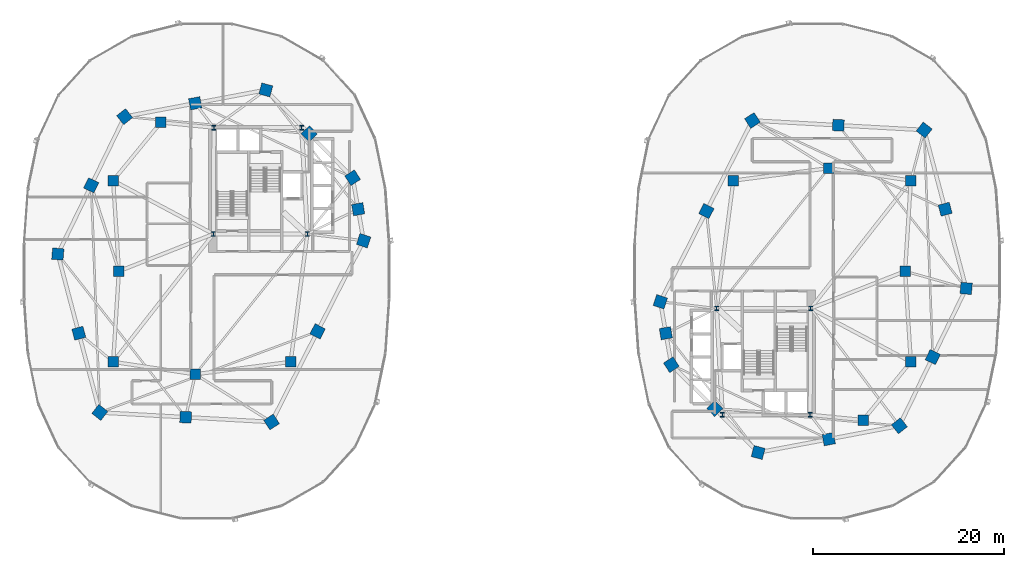
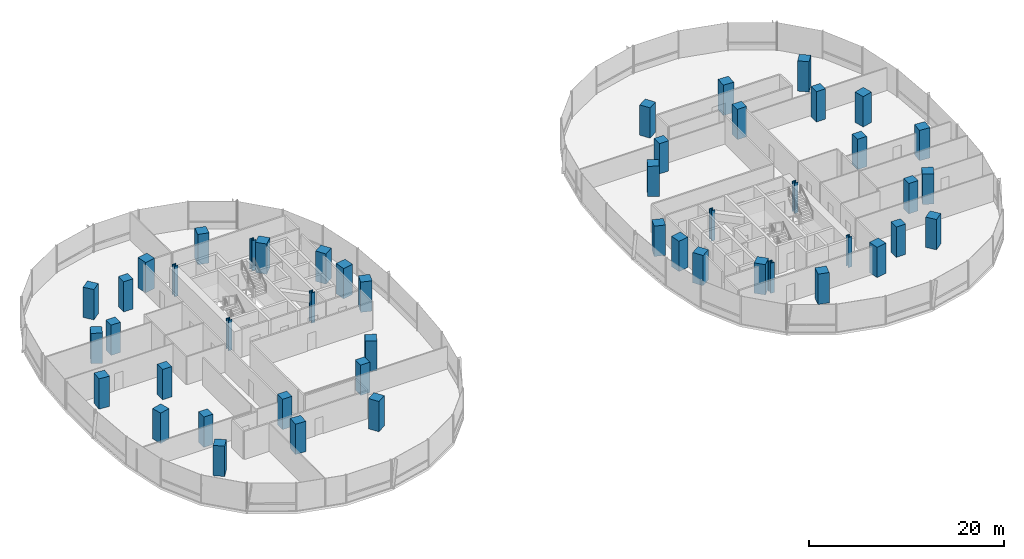
# One storey, part 1 of 21: 48 columns.
"""IFC4 building model written with IfcOpenShell, lengths in metres."""

from ifc_helpers import new_model, si_unit, direction, frame, origin, origin_2d, place, context, subcontext, project, spatial, rectangle, i_section, extrude, material, material_profile, profile_set, type_object, element, save


model = new_model("IFC4")

# Units and contexts
model_context = context("Model", 3, precision=1e-05, world=origin(), true_north=direction((0.0, 1.0)))
body_context = subcontext(model_context, "Body", "Model", "MODEL_VIEW")
ifc_project = project(units=[si_unit("LENGTHUNIT", "METRE"), si_unit("AREAUNIT", "SQUARE_METRE"), si_unit("VOLUMEUNIT", "CUBIC_METRE"), si_unit("PLANEANGLEUNIT", "RADIAN"), si_unit("MASSUNIT", "GRAM", prefix="KILO"), si_unit("THERMODYNAMICTEMPERATUREUNIT", "KELVIN"), si_unit("POWERUNIT", "WATT")], contexts=[model_context])

# Site, building, storey
site_placement = place(None, origin())
site = spatial("IfcSite", under=ifc_project, at=site_placement, CompositionType="ELEMENT")
building_placement = place(site_placement, origin())
building = spatial("IfcBuilding", under=site, at=building_placement, Name="Cundina Bronze Exchange", CompositionType="ELEMENT")
storey_placement = place(building_placement, frame((0.0, 0.0, 50.60009765625)))
storey = spatial("IfcBuildingStorey", under=building, at=storey_placement, Name="L12", CompositionType="ELEMENT", Elevation=50.60009765625)

# Columns
ifc_material_1 = material(Name="Steel ASTM A992 Grade 50", Category="steel")
ifc_material_profile_1 = material_profile(ifc_material_1, i_section(OverallWidth=0.431884765625, OverallDepth=0.498046875, WebThickness=0.0556640625, FlangeThickness=0.0888671875, FilletRadius=0.01806640625, at=origin_2d()), Name="W14X500", Category="steel")
ifc_profile_set_1 = profile_set([ifc_material_profile_1], Name="Steel ASTM A992 Grade 50")
column_type_1 = type_object("IfcColumnType", Name="COL-STL-W14A", PredefinedType="COLUMN", material=ifc_profile_set_1)
for number, where, z_axis, x_axis, name in (
    (1, (-31.300048828125, 3.89990234375, 0.0), (0.0, 0.0, 1.0), (1.0, 0.0, 0.0), "L12 Core Anchor Column W1"),
    (2, (-21.449951171875, 3.89990234375, 0.0), (0.0, 0.0, 1.0), (1.0, 0.0, 0.0), "L12 Core Anchor Column W2"),
    (3, (-22.050048828125, 15.050048828125, 0.0), (0.0, 0.0, 1.0), (1.0, 0.0, 0.0), "L12 Core Anchor Column W3"),
    (4, (-31.25, 15.050048828125, 0.0), (0.0, 0.0, 1.0), (1.0, 0.0, 0.0), "L12 Core Anchor Column W4"),
    (5, (31.300048828125, -3.89990234375, 0.0), (0.0, 0.0, 1.0), (1.0, 0.0, 0.0), "L12 Core Anchor Column E1"),
    (6, (21.449951171875, -3.89990234375, 0.0), (0.0, 0.0, 1.0), (1.0, 0.0, 0.0), "L12 Core Anchor Column E2"),
    (7, (22.050048828125, -15.050048828125, 0.0), (0.0, 0.0, 1.0), (1.0, 0.0, 0.0), "L12 Core Anchor Column E3"),
    (8, (31.25, -15.050048828125, 0.0), (0.0, 0.0, 1.0), (1.0, 0.0, 0.0), "L12 Core Anchor Column E4"),
):
    element("IfcColumn", number, at=place(storey_placement, frame(where, z_axis=z_axis, x_axis=x_axis)), inside=storey, type_object=column_type_1, Name=name, PredefinedType="COLUMN", context=body_context, shape_type="SweptSolid", body=[
        extrude(i_section(OverallWidth=0.431884765625, OverallDepth=0.498046875, WebThickness=0.0556640625, FlangeThickness=0.0888671875, FilletRadius=0.01806640625, at=origin_2d()), origin(), (0.0, 0.0, 1.0), 3.7998046875),
    ])
ifc_material_2 = material(Name="Concrete C60/75", Category="concrete")
ifc_material_profile_2 = material_profile(ifc_material_2, rectangle(XDim=1.199951171875, YDim=1.199951171875, at=origin_2d()), Name="RC1200X1200", Category="concrete")
ifc_profile_set_2 = profile_set([ifc_material_profile_2], Name="Concrete C60/75")
column_type_2 = type_object("IfcColumnType", Name="COL-Z1-1200", PredefinedType="COLUMN", material=ifc_profile_set_2)
for number, where, z_axis, x_axis, name in (
    (9, (-15.550048828125, 3.199951171875, 0.0), (0.0, 0.0, 1.0), (0.315152163383, 0.949041155016, 0.0), "L12 W Perimeter Column 00"),
    (10, (-16.125, 6.5, 0.0), (0.0, 0.0, 1.0), (-0.171585221787, 0.985169280715, 0.0), "L12 W Perimeter Column 01"),
    (11, (-16.699951171875, 9.800048828125, 0.0), (0.0, 0.0, 1.0), (-0.544199833495, 0.838955625301, 0.0), "L12 W Perimeter Column 02"),
    (12, (-21.25, 14.39990234375, 0.0), (0.0, 0.0, 1.0), (-0.703270634186, 0.710922228581, 0.0), "L12 W Perimeter Column 03"),
    (13, (-25.800048828125, 19.0, 0.0), (0.0, 0.0, 1.0), (-0.965970984022, 0.258650455301, 0.0), "L12 W Perimeter Column 04"),
    (14, (-33.199951171875, 17.60009765625, 0.0), (0.0, 0.0, 1.0), (-0.98258037664, -0.185838110843, 0.0), "L12 W Perimeter Column 05"),
    (15, (-40.60009765625, 16.199951171875, 0.0), (0.0, 0.0, 1.0), (-0.785100778485, -0.619368038909, 0.0), "L12 W Perimeter Column 06"),
    (16, (-44.10009765625, 9.0, 0.0), (0.0, 0.0, 1.0), (-0.437115766651, -0.899405251566, 0.0), "L12 W Perimeter Column 07"),
    (17, (-47.60009765625, 1.800048828125, 0.0), (0.0, 0.0, 1.0), (-0.083503921245, -0.996507448611, 0.0), "L12 W Perimeter Column 08"),
    (18, (-45.39990234375, -6.5, 0.0), (0.0, 0.0, 1.0), (0.256289373133, -0.966600102017, 0.0), "L12 W Perimeter Column 09"),
    (19, (-43.199951171875, -14.800048828125, 0.0), (0.0, 0.0, 1.0), (0.786288432137, -0.61785961309, 0.0), "L12 W Perimeter Column 10"),
    (20, (-34.199951171875, -15.300048828125, 0.0), (0.0, 0.0, 1.0), (0.998460188734, -0.055472980025, 0.0), "L12 W Perimeter Column 11"),
    (21, (-25.199951171875, -15.800048828125, 0.0), (0.0, 0.0, 1.0), (0.838099763533, 0.545516989988, 0.0), "L12 W Perimeter Column 12"),
    (22, (-20.375, -6.300048828125, 0.0), (0.0, 0.0, 1.0), (0.452901591366, 0.891560513111, 0.0), "L12 W Perimeter Column 13"),
    (23, (15.550048828125, -3.199951171875, 0.0), (0.0, 0.0, 1.0), (-0.315152163383, -0.949041155016, 0.0), "L12 E Perimeter Column 00"),
    (24, (16.125, -6.5, 0.0), (0.0, 0.0, 1.0), (0.171585221787, -0.985169280715, 0.0), "L12 E Perimeter Column 01"),
    (25, (16.699951171875, -9.800048828125, 0.0), (0.0, 0.0, 1.0), (0.544199833495, -0.838955625301, 0.0), "L12 E Perimeter Column 02"),
    (26, (21.25, -14.39990234375, 0.0), (0.0, 0.0, 1.0), (0.703270634186, -0.710922228581, 0.0), "L12 E Perimeter Column 03"),
    (27, (25.800048828125, -19.0, 0.0), (0.0, 0.0, 1.0), (0.965970984022, -0.258650455301, 0.0), "L12 E Perimeter Column 04"),
    (28, (33.199951171875, -17.60009765625, 0.0), (0.0, 0.0, 1.0), (0.98258037664, 0.185838110843, 0.0), "L12 E Perimeter Column 05"),
    (29, (40.60009765625, -16.199951171875, 0.0), (0.0, 0.0, 1.0), (0.785100778485, 0.619368038909, 0.0), "L12 E Perimeter Column 06"),
    (30, (44.10009765625, -9.0, 0.0), (0.0, 0.0, 1.0), (0.437115766651, 0.899405251566, 0.0), "L12 E Perimeter Column 07"),
    (31, (47.60009765625, -1.800048828125, 0.0), (0.0, 0.0, 1.0), (0.083503921245, 0.996507448611, 0.0), "L12 E Perimeter Column 08"),
    (32, (45.39990234375, 6.5, 0.0), (0.0, 0.0, 1.0), (-0.256289373133, 0.966600102017, 0.0), "L12 E Perimeter Column 09"),
    (33, (43.199951171875, 14.800048828125, 0.0), (0.0, 0.0, 1.0), (-0.786288432137, 0.61785961309, 0.0), "L12 E Perimeter Column 10"),
    (34, (34.199951171875, 15.300048828125, 0.0), (0.0, 0.0, 1.0), (-0.998460188734, 0.055472980025, 0.0), "L12 E Perimeter Column 11"),
    (35, (25.199951171875, 15.800048828125, 0.0), (0.0, 0.0, 1.0), (-0.838099763533, -0.545516989988, 0.0), "L12 E Perimeter Column 12"),
    (36, (20.375, 6.300048828125, 0.0), (0.0, 0.0, 1.0), (-0.452901591366, -0.891560513111, 0.0), "L12 E Perimeter Column 13"),
):
    element("IfcColumn", number, at=place(storey_placement, frame(where, z_axis=z_axis, x_axis=x_axis)), inside=storey, type_object=column_type_2, Name=name, PredefinedType="COLUMN", context=body_context, shape_type="SweptSolid", body=[
        extrude(rectangle(XDim=1.199951171875, YDim=1.199951171875, at=origin_2d()), origin(), (0.0, 0.0, 1.0), 3.7998046875),
    ])
ifc_material_profile_3 = material_profile(ifc_material_2, rectangle(XDim=1.10009765625, YDim=1.10009765625, at=origin_2d()), Name="RC1100X1100", Category="concrete")
ifc_profile_set_3 = profile_set([ifc_material_profile_3], Name="Concrete C60/75")
column_type_3 = type_object("IfcColumnType", Name="COL-Z2-1100", PredefinedType="COLUMN", material=ifc_profile_set_3)
for number, where, z_axis, x_axis, name in (
    (37, (-41.199951171875, 0.0, 0.0), (0.0, 0.0, 1.0), (1.0, 0.0, 0.0), "L12 W Inner Ring Column 1"),
    (38, (-41.800048828125, 9.5, 0.0), (0.0, 0.0, 1.0), (1.0, 0.0, 0.0), "L12 W Inner Ring Column 2"),
    (39, (-36.800048828125, 15.60009765625, 0.0), (0.0, 0.0, 1.0), (1.0, 0.0, 0.0), "L12 W Inner Ring Column 3"),
    (40, (-41.800048828125, -9.5, 0.0), (0.0, 0.0, 1.0), (1.0, 0.0, 0.0), "L12 W Inner Ring Column 4"),
    (41, (-33.199951171875, -10.800048828125, 0.0), (0.0, 0.0, 1.0), (1.0, 0.0, 0.0), "L12 W Inner Ring Column 5"),
    (42, (-23.199951171875, -9.5, 0.0), (0.0, 0.0, 1.0), (1.0, 0.0, 0.0), "L12 W Inner Ring Column 6"),
    (43, (41.199951171875, 0.0, 0.0), (0.0, 0.0, 1.0), (1.0, 0.0, 0.0), "L12 E Inner Ring Column 1"),
    (44, (41.800048828125, -9.5, 0.0), (0.0, 0.0, 1.0), (1.0, 0.0, 0.0), "L12 E Inner Ring Column 2"),
    (45, (36.800048828125, -15.60009765625, 0.0), (0.0, 0.0, 1.0), (1.0, 0.0, 0.0), "L12 E Inner Ring Column 3"),
    (46, (41.800048828125, 9.5, 0.0), (0.0, 0.0, 1.0), (1.0, 0.0, 0.0), "L12 E Inner Ring Column 4"),
    (47, (33.199951171875, 10.800048828125, 0.0), (0.0, 0.0, 1.0), (1.0, 0.0, 0.0), "L12 E Inner Ring Column 5"),
    (48, (23.199951171875, 9.5, 0.0), (0.0, 0.0, 1.0), (1.0, 0.0, 0.0), "L12 E Inner Ring Column 6"),
):
    element("IfcColumn", number, at=place(storey_placement, frame(where, z_axis=z_axis, x_axis=x_axis)), inside=storey, type_object=column_type_3, Name=name, PredefinedType="COLUMN", context=body_context, shape_type="SweptSolid", body=[
        extrude(rectangle(XDim=1.10009765625, YDim=1.10009765625, at=origin_2d()), origin(), (0.0, 0.0, 1.0), 3.7998046875),
    ])

save(model, "model.ifc")
